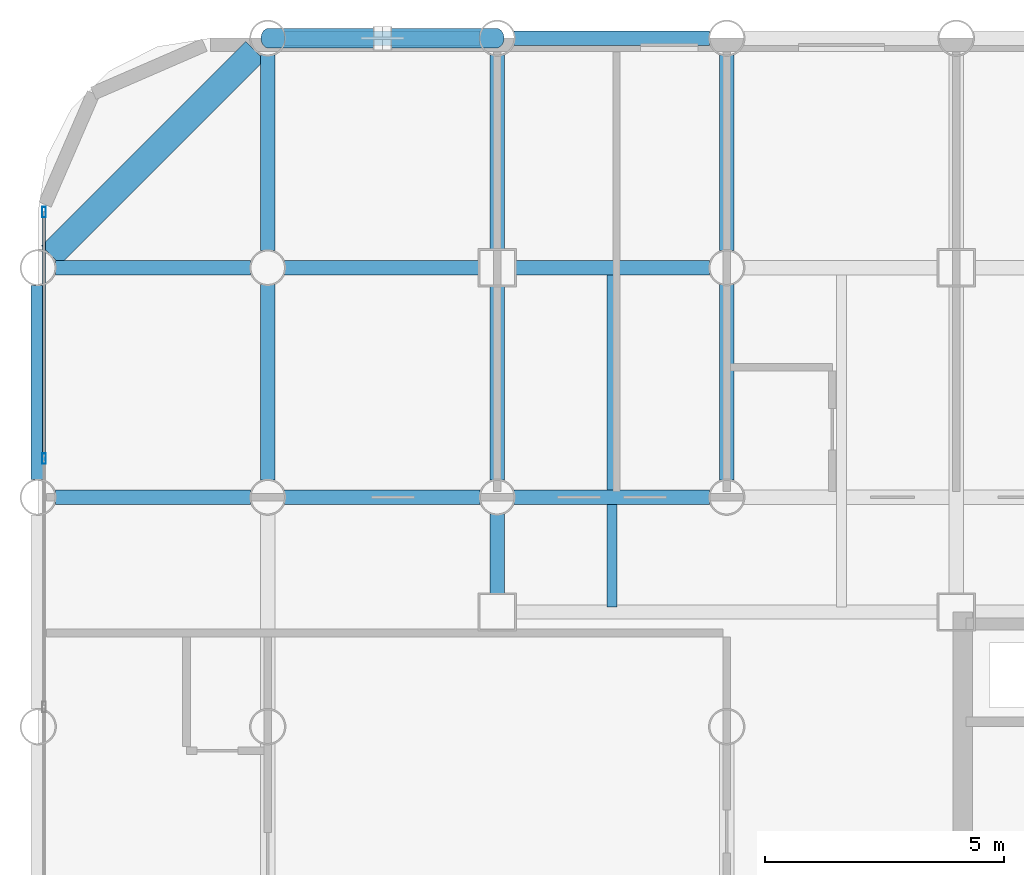
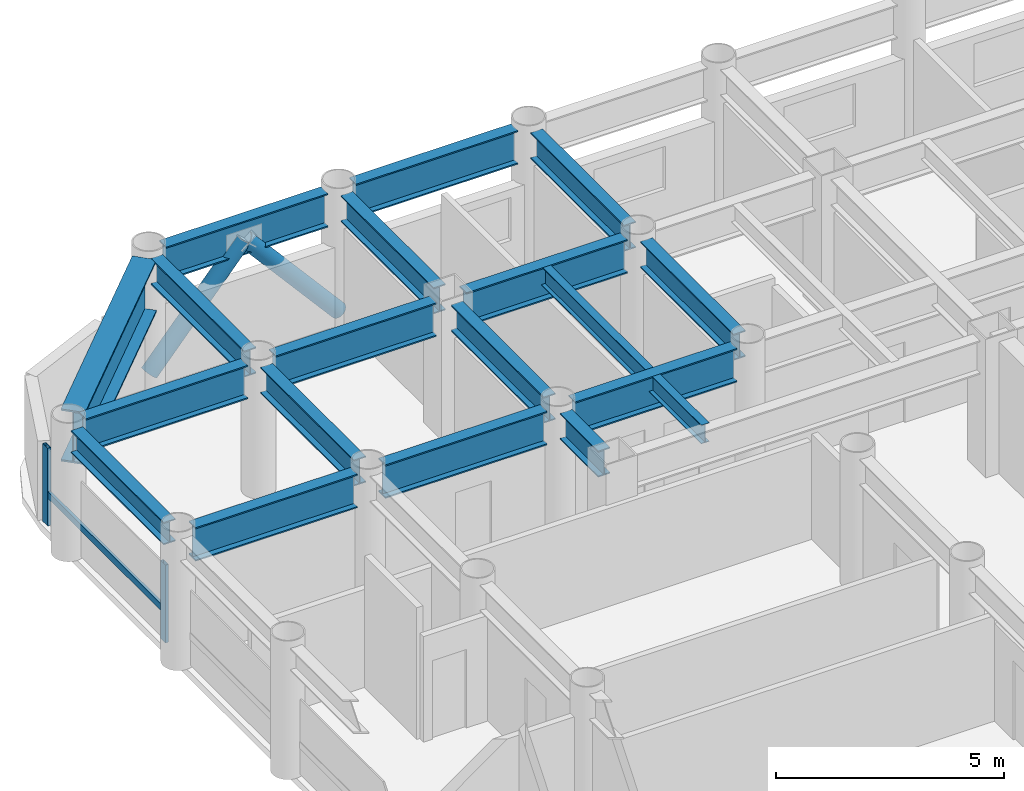
# One storey, part 9 of 22: 18 beams, 5 members, 1 element without a shape of its own.
"""IFC4 building model written with IfcOpenShell, lengths in metres."""

from ifc_helpers import new_model, si_unit, direction, frame, origin, origin_2d, place, context, subcontext, project, spatial, hollow_rectangle, hollow_circle, i_section, extrude, material, layer, layer_set, material_profile, profile_set, type_object, element, aggregate, save


model = new_model("IFC4")

# Units and contexts
model_context = context("Model", 3, precision=1e-05, world=origin(), true_north=direction((0.0, 1.0)))
body_context = subcontext(model_context, "Body", "Model", "MODEL_VIEW")
ifc_project = project(units=[si_unit("LENGTHUNIT", "METRE"), si_unit("AREAUNIT", "SQUARE_METRE"), si_unit("VOLUMEUNIT", "CUBIC_METRE"), si_unit("PLANEANGLEUNIT", "RADIAN"), si_unit("MASSUNIT", "GRAM", prefix="KILO")], contexts=[model_context])

# Site, building, storey
site_placement = place(None, origin())
site = spatial("IfcSite", under=ifc_project, at=site_placement, CompositionType="ELEMENT")
building_placement = place(site_placement, origin())
building = spatial("IfcBuilding", under=site, at=building_placement, Name="Kallvorn Hotel Tower", CompositionType="ELEMENT")
storey_placement = place(building_placement, frame((0.0, 0.0, 33.699951171875)))
storey = spatial("IfcBuildingStorey", under=building, at=storey_placement, Name="L06", CompositionType="ELEMENT", Elevation=33.699951171875)

# Beams
ifc_material_1 = material(Name="Structural steel S355JR", Category="steel")
ifc_material_profile_1 = material_profile(ifc_material_1, i_section(OverallWidth=0.300048828125, OverallDepth=0.60009765625, WebThickness=0.015380859375, FlangeThickness=0.030029296875, at=origin_2d()), Name="HE 600 B")
ifc_profile_set_1 = profile_set([ifc_material_profile_1], Name="Structural steel S355JR")
beam_type_1 = type_object("IfcBeamType", Name="BM_HE600B", PredefinedType="SPANDREL", material=ifc_profile_set_1)
beam_1_placement = place(storey_placement, frame((-33.60009765625, 9.970947265625, 3.219970703125), z_axis=(0.0, 1.0, 0.0), x_axis=(-1.0, 0.0, 0.0)))
element("IfcBeam", 1, at=beam_1_placement, inside=storey, type_object=beam_type_1, Name="L07 Perimeter Spandrel 180", PredefinedType="SPANDREL", context=body_context, shape_type="SweptSolid", body=[
    extrude(i_section(OverallWidth=0.300048828125, OverallDepth=0.60009765625, WebThickness=0.015380859375, FlangeThickness=0.030029296875, at=origin_2d()), origin(), (0.0, 0.0, 1.0), 4.05810546875),
])
ifc_material_2 = material(Name="Structural steel S355JR", Category="steel")
ifc_material_profile_2 = material_profile(ifc_material_2, i_section(OverallWidth=0.300048828125, OverallDepth=0.699951171875, WebThickness=0.01708984375, FlangeThickness=0.031982421875, at=origin_2d()), Name="HE 700 B")
ifc_profile_set_2 = profile_set([ifc_material_profile_2], Name="Structural steel S355JR")
beam_type_2 = type_object("IfcBeamType", Name="BM_HE700B", PredefinedType="BEAM", material=ifc_profile_set_2)
for number, where, z_axis, x_axis, name in (
    (2, (-28.800048828125, 9.9560546875, 3.170166015625), (0.0, 1.0, 0.0), (-1.0, 0.0, 0.0), "L07 Primary Y-Girder 80"),
    (3, (-28.800048828125, 14.756103515625, 3.170166015625), (0.0, 1.0, 0.0), (-1.0, 0.0, 0.0), "L07 Primary Y-Girder 81"),
):
    element("IfcBeam", number, at=place(storey_placement, frame(where, z_axis=z_axis, x_axis=x_axis)), inside=storey, type_object=beam_type_2, Name=name, PredefinedType="BEAM", context=body_context, shape_type="SweptSolid", body=[
        extrude(i_section(OverallWidth=0.300048828125, OverallDepth=0.699951171875, WebThickness=0.01708984375, FlangeThickness=0.031982421875, at=origin_2d()), origin(), (0.0, 0.0, 1.0), 4.087890625),
    ])
beam_2_placement = place(storey_placement, frame((-24.0, 7.574951171875, 3.170166015625), z_axis=(0.0, 1.0, 0.0), x_axis=(-1.0, 0.0, 0.0)))
element("IfcBeam", 4, at=beam_2_placement, inside=storey, type_object=beam_type_2, Name="L07 Primary Y-Girder 86", PredefinedType="BEAM", context=body_context, shape_type="SweptSolid", body=[
    extrude(i_section(OverallWidth=0.300048828125, OverallDepth=0.699951171875, WebThickness=0.01708984375, FlangeThickness=0.031982421875, at=origin_2d()), origin(), (0.0, 0.0, 1.0), 1.6689453125),
])
beam_3_placement = place(storey_placement, frame((-24.0, 9.9560546875, 3.170166015625), z_axis=(0.0, 1.0, 0.0), x_axis=(-1.0, 0.0, 0.0)))
element("IfcBeam", 5, at=beam_3_placement, inside=storey, type_object=beam_type_2, Name="L07 Primary Y-Girder 87", PredefinedType="BEAM", context=body_context, shape_type="SweptSolid", body=[
    extrude(i_section(OverallWidth=0.300048828125, OverallDepth=0.699951171875, WebThickness=0.01708984375, FlangeThickness=0.031982421875, at=origin_2d()), origin(), (0.0, 0.0, 1.0), 4.06884765625),
])
beam_4_placement = place(storey_placement, frame((-24.0, 14.77490234375, 3.170166015625), z_axis=(0.0, 1.0, 0.0), x_axis=(-1.0, 0.0, 0.0)))
element("IfcBeam", 6, at=beam_4_placement, inside=storey, type_object=beam_type_2, Name="L07 Primary Y-Girder 88", PredefinedType="BEAM", context=body_context, shape_type="SweptSolid", body=[
    extrude(i_section(OverallWidth=0.300048828125, OverallDepth=0.699951171875, WebThickness=0.01708984375, FlangeThickness=0.031982421875, at=origin_2d()), origin(), (0.0, 0.0, 1.0), 4.069091796875),
])
for number, where, z_axis, x_axis, name in (
    (7, (-19.199951171875, 9.9560546875, 3.170166015625), (0.0, 1.0, 0.0), (-1.0, 0.0, 0.0), "L07 Primary Y-Girder 96"),
    (8, (-19.199951171875, 14.756103515625, 3.170166015625), (0.0, 1.0, 0.0), (-1.0, 0.0, 0.0), "L07 Primary Y-Girder 97"),
):
    element("IfcBeam", number, at=place(storey_placement, frame(where, z_axis=z_axis, x_axis=x_axis)), inside=storey, type_object=beam_type_2, Name=name, PredefinedType="BEAM", context=body_context, shape_type="SweptSolid", body=[
        extrude(i_section(OverallWidth=0.300048828125, OverallDepth=0.699951171875, WebThickness=0.01708984375, FlangeThickness=0.031982421875, at=origin_2d()), origin(), (0.0, 0.0, 1.0), 4.087890625),
    ])
ifc_material_3 = material(Name="Structural steel S355JR", Category="steel")
ifc_material_profile_3 = material_profile(ifc_material_3, i_section(OverallWidth=0.300048828125, OverallDepth=0.89990234375, WebThickness=0.0185546875, FlangeThickness=0.034912109375, at=origin_2d()), Name="HE 900 B")
ifc_profile_set_3 = profile_set([ifc_material_profile_3], Name="Structural steel S355JR")
beam_type_3 = type_object("IfcBeamType", Name="BM_HE900B", PredefinedType="BEAM", material=ifc_profile_set_3)
beam_5_placement = place(storey_placement, frame((-33.243896484375, 9.60009765625, 3.070068359375), z_axis=(1.0, 0.0, 0.0), x_axis=(0.0, 1.0, 0.0)))
element("IfcBeam", 9, at=beam_5_placement, inside=storey, type_object=beam_type_3, Name="L07 Primary X-Girder 42", PredefinedType="BEAM", context=body_context, shape_type="SweptSolid", body=[
    extrude(i_section(OverallWidth=0.300048828125, OverallDepth=0.89990234375, WebThickness=0.0185546875, FlangeThickness=0.034912109375, at=origin_2d()), origin(), (0.0, 0.0, 1.0), 4.087890625),
])
for number, where, z_axis, x_axis, name in (
    (10, (-28.444091796875, 9.60009765625, 3.070068359375), (1.0, 0.0, 0.0), (0.0, 1.0, 0.0), "L07 Primary X-Girder 43"),
    (11, (-23.64404296875, 9.60009765625, 3.070068359375), (1.0, 0.0, 0.0), (0.0, 1.0, 0.0), "L07 Primary X-Girder 44"),
):
    element("IfcBeam", number, at=place(storey_placement, frame(where, z_axis=z_axis, x_axis=x_axis)), inside=storey, type_object=beam_type_3, Name=name, PredefinedType="BEAM", context=body_context, shape_type="SweptSolid", body=[
        extrude(i_section(OverallWidth=0.300048828125, OverallDepth=0.89990234375, WebThickness=0.0185546875, FlangeThickness=0.034912109375, at=origin_2d()), origin(), (0.0, 0.0, 1.0), 4.088134765625),
    ])
beam_6_placement = place(storey_placement, frame((-33.243896484375, 14.39990234375, 3.070068359375), z_axis=(1.0, 0.0, 0.0), x_axis=(0.0, 1.0, 0.0)))
element("IfcBeam", 12, at=beam_6_placement, inside=storey, type_object=beam_type_3, Name="L07 Primary X-Girder 51", PredefinedType="BEAM", context=body_context, shape_type="SweptSolid", body=[
    extrude(i_section(OverallWidth=0.300048828125, OverallDepth=0.89990234375, WebThickness=0.0185546875, FlangeThickness=0.034912109375, at=origin_2d()), origin(), (0.0, 0.0, 1.0), 4.087890625),
])
for number, where, z_axis, x_axis, name in (
    (13, (-28.444091796875, 14.39990234375, 3.070068359375), (1.0, 0.0, 0.0), (0.0, 1.0, 0.0), "L07 Primary X-Girder 52"),
    (14, (-23.625, 14.39990234375, 3.070068359375), (1.0, 0.0, 0.0), (0.0, 1.0, 0.0), "L07 Primary X-Girder 53"),
):
    element("IfcBeam", number, at=place(storey_placement, frame(where, z_axis=z_axis, x_axis=x_axis)), inside=storey, type_object=beam_type_3, Name=name, PredefinedType="BEAM", context=body_context, shape_type="SweptSolid", body=[
        extrude(i_section(OverallWidth=0.300048828125, OverallDepth=0.89990234375, WebThickness=0.0185546875, FlangeThickness=0.034912109375, at=origin_2d()), origin(), (0.0, 0.0, 1.0), 4.069091796875),
    ])
for number, where, z_axis, x_axis, name in (
    (15, (-28.444091796875, 19.199951171875, 3.070068359375), (1.0, 0.0, 0.0), (0.0, 1.0, 0.0), "L07 Primary X-Girder 61"),
    (16, (-23.64404296875, 19.199951171875, 3.070068359375), (1.0, 0.0, 0.0), (0.0, 1.0, 0.0), "L07 Primary X-Girder 62"),
):
    element("IfcBeam", number, at=place(storey_placement, frame(where, z_axis=z_axis, x_axis=x_axis)), inside=storey, type_object=beam_type_3, Name=name, PredefinedType="BEAM", context=body_context, shape_type="SweptSolid", body=[
        extrude(i_section(OverallWidth=0.300048828125, OverallDepth=0.89990234375, WebThickness=0.0185546875, FlangeThickness=0.034912109375, at=origin_2d()), origin(), (0.0, 0.0, 1.0), 4.088134765625),
    ])
ifc_material_4 = material(Name="Structural steel S355JR", Category="steel")
ifc_material_profile_4 = material_profile(ifc_material_4, i_section(OverallWidth=0.199951171875, OverallDepth=0.5, WebThickness=0.01025390625, FlangeThickness=0.01611328125, at=origin_2d()), Name="IPE 500")
ifc_profile_set_4 = profile_set([ifc_material_profile_4], Name="Structural steel S355JR")
beam_type_4 = type_object("IfcBeamType", Name="BM_IPE500", PredefinedType="JOIST", material=ifc_profile_set_4)
beam_7_placement = place(storey_placement, frame((-21.60009765625, 7.300048828125, 3.27001953125), z_axis=(0.0, 1.0, 0.0), x_axis=(-1.0, 0.0, 0.0)))
element("IfcBeam", 17, at=beam_7_placement, inside=storey, type_object=beam_type_4, Name="L07 Secondary Composite Joist 193", PredefinedType="JOIST", context=body_context, shape_type="SweptSolid", body=[
    extrude(i_section(OverallWidth=0.199951171875, OverallDepth=0.5, WebThickness=0.01025390625, FlangeThickness=0.01611328125, at=origin_2d()), origin(), (0.0, 0.0, 1.0), 7.0),
])
ifc_material_5 = material(Name="Structural steel S355JR", Category="steel")
ifc_material_profile_5 = material_profile(ifc_material_5, i_section(OverallWidth=0.550048828125, OverallDepth=1.39990234375, WebThickness=0.02490234375, FlangeThickness=0.044921875, at=origin_2d()), Name="PG 1400x550x25x45")
ifc_profile_set_5 = profile_set([ifc_material_profile_5], Name="Structural steel S355JR")
beam_type_5 = type_object("IfcBeamType", Name="BM_PG_1400", PredefinedType="BEAM", material=ifc_profile_set_5)
beam_8_placement = place(storey_placement, frame((-33.337646484375, 14.662353515625, 2.820068359375), z_axis=(0.707106781187, 0.707106781187, 0.0), x_axis=(-0.707106781187, 0.707106781187, 0.0)))
element("IfcBeam", 18, at=beam_8_placement, inside=storey, type_object=beam_type_5, Name="L07 Rounded Corner Tie Beam 190", PredefinedType="BEAM", context=body_context, shape_type="SweptSolid", body=[
    extrude(i_section(OverallWidth=0.550048828125, OverallDepth=1.39990234375, WebThickness=0.02490234375, FlangeThickness=0.044921875, at=origin_2d()), origin(), (0.0, 0.0, 1.0), 6.04638671875),
])

# Curtain wall, members
ifc_material_6 = material(Name="Thermally broken black-anodised aluminium AA 6063-T6", Category="aluminium")
ifc_layer = layer(ifc_material_6, 0.199951171875)
ifc_layer_set = layer_set([ifc_layer], Name="CW_SYS_3_HOTEL_LOW")
curtain_wall_type = type_object("IfcCurtainWallType", Name="CW_SYS_3_HOTEL_LOW", PredefinedType="USERDEFINED", material=ifc_layer_set)
curtain_wall_placement = place(storey_placement, origin())
curtain_wall = element("IfcCurtainWall", 19, at=curtain_wall_placement, inside=storey, type_object=curtain_wall_type, Name="L06 Dark-Glass Curtain Wall CW-L06-WN", ObjectType="UNITISED CURTAIN WALL", PredefinedType="USERDEFINED")
ifc_material_7 = material(Name="Thermally broken black-anodised aluminium AA 6063-T6", Category="aluminium")
ifc_material_profile_6 = material_profile(ifc_material_7, hollow_rectangle(XDim=0.080078125, YDim=0.219970703125, WallThickness=0.0048828125, at=origin_2d()), Name="MUL 220x80")
ifc_profile_set_6 = profile_set([ifc_material_profile_6], Name="Thermally broken black-anodised aluminium AA 6063-T6")
member_type_1 = type_object("IfcMemberType", Name="CW_MULLION_220x80", PredefinedType="MULLION", material=ifc_profile_set_6)
member_1_placement = place(storey_placement, frame((-33.47998046875, 10.40673828125, 0.02001953125), z_axis=(0.0, 0.0, 1.0), x_axis=(1.0, 0.0, 0.0)))
member_1 = element("IfcMember", 20, at=member_1_placement, type_object=member_type_1, Name="CW-L06-WN Mullion 02", PredefinedType="MULLION", context=body_context, shape_type="SweptSolid", body=[
    extrude(hollow_rectangle(XDim=0.080078125, YDim=0.219970703125, WallThickness=0.0048828125, at=origin_2d()), origin(), (0.0, 0.0, 1.0), 2.080078125),
])
member_2_placement = place(storey_placement, frame((-33.47998046875, 15.56005859375, 0.02001953125), z_axis=(0.0, 0.0, 1.0), x_axis=(1.0, 0.0, 0.0)))
member_2 = element("IfcMember", 21, at=member_2_placement, type_object=member_type_1, Name="CW-L06-WN Mullion 03", PredefinedType="MULLION", context=body_context, shape_type="SweptSolid", body=[
    extrude(hollow_rectangle(XDim=0.080078125, YDim=0.219970703125, WallThickness=0.0048828125, at=origin_2d()), origin(), (0.0, 0.0, 1.0), 2.080078125),
])
ifc_material_8 = material(Name="Thermally broken black-anodised aluminium AA 6063-T6", Category="aluminium")
ifc_material_profile_7 = material_profile(ifc_material_8, hollow_rectangle(XDim=0.070068359375, YDim=0.179931640625, WallThickness=0.00390625, at=origin_2d()), Name="TRN 180x70")
ifc_profile_set_7 = profile_set([ifc_material_profile_7], Name="Thermally broken black-anodised aluminium AA 6063-T6")
member_type_2 = type_object("IfcMemberType", Name="CW_TRANSOM_180x70", PredefinedType="USERDEFINED", material=ifc_profile_set_7)
member_3_placement = place(storey_placement, frame((-33.47998046875, 10.44677734375, 0.85009765625), z_axis=(0.0, 1.0, 0.0), x_axis=(-1.0, 0.0, 0.0)))
member_3 = element("IfcMember", 22, at=member_3_placement, type_object=member_type_2, Name="CW-L06-WN Transom 02M", ObjectType="TRANSOM", PredefinedType="USERDEFINED", context=body_context, shape_type="SweptSolid", body=[
    extrude(hollow_rectangle(XDim=0.070068359375, YDim=0.179931640625, WallThickness=0.00390625, at=origin_2d()), origin(), (0.0, 0.0, 1.0), 5.11328125),
])
aggregate(curtain_wall, [member_1, member_2, member_3])

# Members
ifc_material_9 = material(Name="Structural steel S355J2H", Category="steel")
ifc_material_profile_8 = material_profile(ifc_material_9, hollow_circle(Radius=0.203125, WallThickness=0.01611328125, at=origin_2d()), Name="CHS 406.4x16")
ifc_profile_set_8 = profile_set([ifc_material_profile_8], Name="Structural steel S355J2H")
member_type_3 = type_object("IfcMemberType", Name="MBR_EXO_CHS406", PredefinedType="BRACE", material=ifc_profile_set_8)
for number, where, z_axis, x_axis, name in (
    (23, (-28.786865234375, 19.199951171875, 0.195068359375), (0.653427382465, 0.0, 0.756989204576), (0.0, 1.0, 0.0), "L06 Exoskeleton K-Brace N1A"),
    (24, (-24.01318359375, 19.199951171875, 0.195068359375), (-0.653427382465, 0.0, 0.756989204576), (0.0, -1.0, 0.0), "L06 Exoskeleton K-Brace N1B"),
):
    element("IfcMember", number, at=place(storey_placement, frame(where, z_axis=z_axis, x_axis=x_axis)), inside=storey, type_object=member_type_3, Name=name, PredefinedType="BRACE", context=body_context, shape_type="SweptSolid", body=[
        extrude(hollow_circle(Radius=0.203125, WallThickness=0.01611328125, at=origin_2d()), origin(), (0.0, 0.0, 1.0), 3.6328125),
    ])

save(model, "model.ifc")
